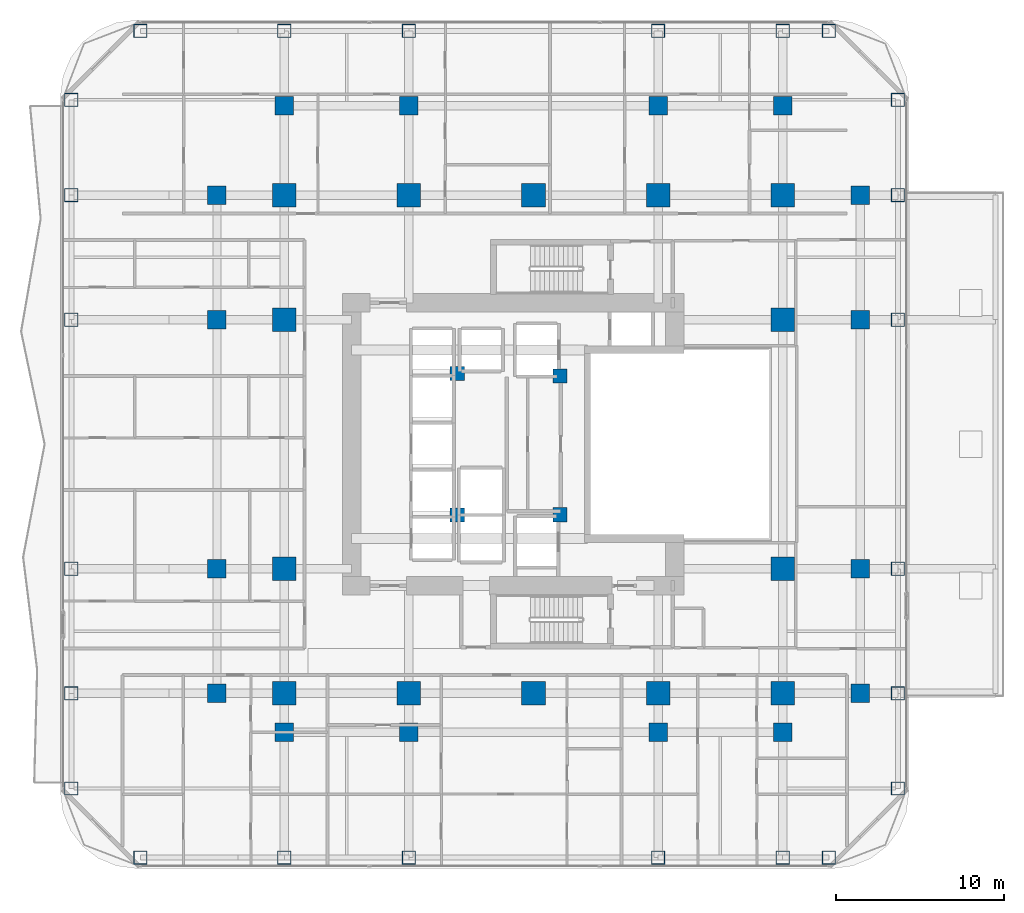
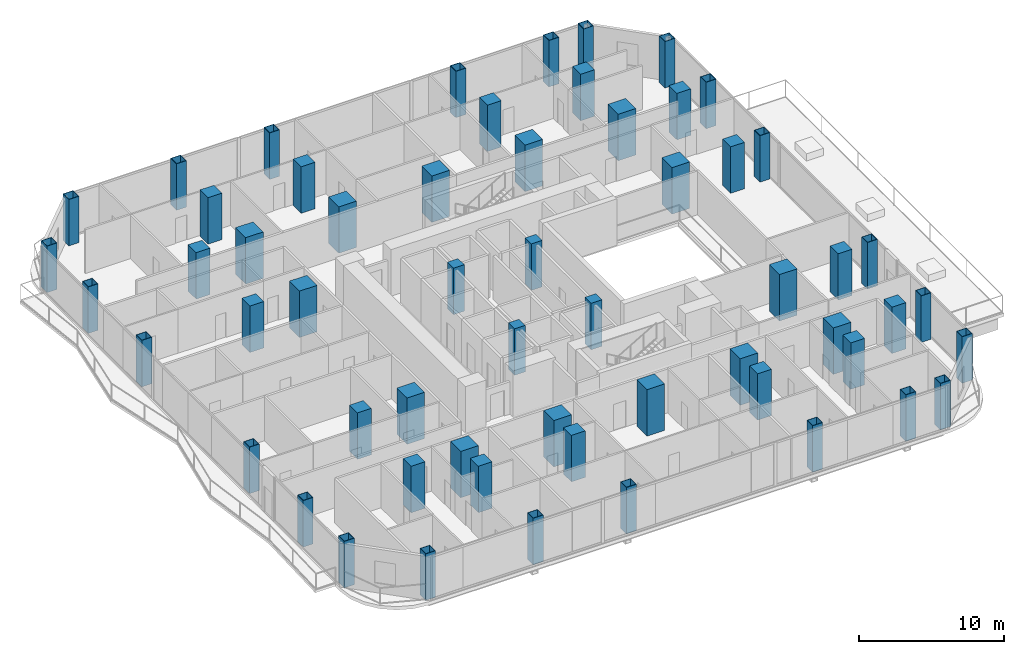
# One storey, part 1 of 29: 58 columns.
"""IFC4 building model written with IfcOpenShell, lengths in metres."""

from ifc_helpers import new_model, si_unit, direction, frame, origin, origin_2d, place, context, subcontext, project, spatial, rectangle, hollow_rectangle, extrude, material, material_profile, profile_set, type_object, element, save


model = new_model("IFC4")

# Units and contexts
model_context = context("Model", 3, precision=1e-05, world=origin(), true_north=direction((0.0, 1.0)))
body_context = subcontext(model_context, "Body", "Model", "MODEL_VIEW")
ifc_project = project(units=[si_unit("LENGTHUNIT", "METRE"), si_unit("AREAUNIT", "SQUARE_METRE"), si_unit("VOLUMEUNIT", "CUBIC_METRE"), si_unit("PLANEANGLEUNIT", "RADIAN"), si_unit("MASSUNIT", "GRAM", prefix="KILO")], contexts=[model_context])

# Site, building, storey
site_placement = place(None, origin())
site = spatial("IfcSite", under=ifc_project, at=site_placement, CompositionType="ELEMENT")
building_placement = place(site_placement, origin())
building = spatial("IfcBuilding", under=site, at=building_placement, Name="Khorvyn Point Tower", CompositionType="ELEMENT")
storey_placement = place(building_placement, frame((0.0, 0.0, 54.0)))
storey = spatial("IfcBuildingStorey", under=building, at=storey_placement, Name="L14", CompositionType="ELEMENT", Elevation=54.0)

# Columns
ifc_material_1 = material(Name="Concrete C40/50", Category="concrete")
ifc_material_profile_1 = material_profile(ifc_material_1, rectangle(XDim=0.85009765625, YDim=0.85009765625, at=origin_2d()))
ifc_profile_set_1 = profile_set([ifc_material_profile_1], Name="Concrete C40/50 RC850x850")
column_type_1 = type_object("IfcColumnType", Name="Concrete C40/50 Column RC850x850", PredefinedType="COLUMN", material=ifc_profile_set_1)
for number, where, z_axis, x_axis, name in (
    (1, (-4.52001953125, -4.199951171875, 0.0), (0.0, 0.0, 1.0), (1.0, 0.0, 0.0), "L14 Crown Core Spine Column 1"),
    (2, (1.580078125, -4.179931640625, 0.0), (0.0, 0.0, 1.0), (1.0, 0.0, 0.0), "L14 Crown Core Spine Column 2"),
    (3, (1.580078125, 4.050048828125, 0.0), (0.0, 0.0, 1.0), (1.0, 0.0, 0.0), "L14 Crown Core Spine Column 3"),
    (4, (-4.52001953125, 4.199951171875, 0.0), (0.0, 0.0, 1.0), (1.0, 0.0, 0.0), "L14 Crown Core Spine Column 4"),
):
    element("IfcColumn", number, at=place(storey_placement, frame(where, z_axis=z_axis, x_axis=x_axis)), inside=storey, type_object=column_type_1, Name=name, PredefinedType="COLUMN", context=body_context, shape_type="SweptSolid", body=[
        extrude(rectangle(XDim=0.85009765625, YDim=0.85009765625, at=origin_2d()), origin(), (0.0, 0.0, 1.0), 3.89990234375),
    ])
ifc_material_2 = material(Name="Concrete C45/55", Category="concrete")
ifc_material_profile_2 = material_profile(ifc_material_2, rectangle(XDim=1.10009765625, YDim=1.10009765625, at=origin_2d()))
ifc_profile_set_2 = profile_set([ifc_material_profile_2], Name="Concrete C45/55 RC1100x1100")
column_type_2 = type_object("IfcColumnType", Name="Concrete C45/55 Column RC1100x1100", PredefinedType="COLUMN", material=ifc_profile_set_2)
for number, where, z_axis, x_axis, name in (
    (5, (-18.800048828125, -14.800048828125, 0.0), (0.0, 0.0, 1.0), (1.0, 0.0, 0.0), "L14 Intermediate Column ICW--14"),
    (6, (-18.800048828125, -7.39990234375, 0.0), (0.0, 0.0, 1.0), (1.0, 0.0, 0.0), "L14 Intermediate Column ICW--7"),
    (7, (-18.800048828125, 7.39990234375, 0.0), (0.0, 0.0, 1.0), (1.0, 0.0, 0.0), "L14 Intermediate Column ICW-7"),
    (8, (-18.800048828125, 14.800048828125, 0.0), (0.0, 0.0, 1.0), (1.0, 0.0, 0.0), "L14 Intermediate Column ICW-14"),
    (9, (19.39990234375, -14.800048828125, 0.0), (0.0, 0.0, 1.0), (1.0, 0.0, 0.0), "L14 Intermediate Column ICE--14"),
    (10, (19.39990234375, -7.39990234375, 0.0), (0.0, 0.0, 1.0), (1.0, 0.0, 0.0), "L14 Intermediate Column ICE--7"),
    (11, (19.39990234375, 7.39990234375, 0.0), (0.0, 0.0, 1.0), (1.0, 0.0, 0.0), "L14 Intermediate Column ICE-7"),
    (12, (19.39990234375, 14.800048828125, 0.0), (0.0, 0.0, 1.0), (1.0, 0.0, 0.0), "L14 Intermediate Column ICE-14"),
    (13, (-14.800048828125, -17.10009765625, 0.0), (0.0, 0.0, 1.0), (1.0, 0.0, 0.0), "L14 Intermediate Column ICS--14"),
    (14, (-7.39990234375, -17.10009765625, 0.0), (0.0, 0.0, 1.0), (1.0, 0.0, 0.0), "L14 Intermediate Column ICS--7"),
    (15, (7.39990234375, -17.10009765625, 0.0), (0.0, 0.0, 1.0), (1.0, 0.0, 0.0), "L14 Intermediate Column ICS-7"),
    (16, (14.800048828125, -17.10009765625, 0.0), (0.0, 0.0, 1.0), (1.0, 0.0, 0.0), "L14 Intermediate Column ICS-14"),
    (17, (-14.800048828125, 20.10009765625, 0.0), (0.0, 0.0, 1.0), (1.0, 0.0, 0.0), "L14 Intermediate Column ICN--14"),
    (18, (-7.39990234375, 20.10009765625, 0.0), (0.0, 0.0, 1.0), (1.0, 0.0, 0.0), "L14 Intermediate Column ICN--7"),
    (19, (7.39990234375, 20.10009765625, 0.0), (0.0, 0.0, 1.0), (1.0, 0.0, 0.0), "L14 Intermediate Column ICN-7"),
    (20, (14.800048828125, 20.10009765625, 0.0), (0.0, 0.0, 1.0), (1.0, 0.0, 0.0), "L14 Intermediate Column ICN-14"),
):
    element("IfcColumn", number, at=place(storey_placement, frame(where, z_axis=z_axis, x_axis=x_axis)), inside=storey, type_object=column_type_2, Name=name, PredefinedType="COLUMN", context=body_context, shape_type="SweptSolid", body=[
        extrude(rectangle(XDim=1.10009765625, YDim=1.10009765625, at=origin_2d()), origin(), (0.0, 0.0, 1.0), 3.89990234375),
    ])
ifc_material_3 = material(Name="Concrete C50/60", Category="concrete")
ifc_material_profile_3 = material_profile(ifc_material_3, rectangle(XDim=1.39990234375, YDim=1.39990234375, at=origin_2d()))
ifc_profile_set_3 = profile_set([ifc_material_profile_3], Name="Concrete C50/60 RC1400x1400")
column_type_3 = type_object("IfcColumnType", Name="Concrete C50/60 Column RC1400x1400", PredefinedType="COLUMN", material=ifc_profile_set_3)
for number, where, z_axis, x_axis, name in (
    (21, (-14.800048828125, -14.800048828125, 0.0), (0.0, 0.0, 1.0), (1.0, 0.0, 0.0), "L14 Mega-Column MC-01"),
    (22, (-7.39990234375, -14.800048828125, 0.0), (0.0, 0.0, 1.0), (1.0, 0.0, 0.0), "L14 Mega-Column MC-02"),
    (23, (0.0, -14.800048828125, 0.0), (0.0, 0.0, 1.0), (1.0, 0.0, 0.0), "L14 Mega-Column MC-03"),
    (24, (7.39990234375, -14.800048828125, 0.0), (0.0, 0.0, 1.0), (1.0, 0.0, 0.0), "L14 Mega-Column MC-04"),
    (25, (14.800048828125, -14.800048828125, 0.0), (0.0, 0.0, 1.0), (1.0, 0.0, 0.0), "L14 Mega-Column MC-05"),
    (26, (-14.800048828125, 14.800048828125, 0.0), (0.0, 0.0, 1.0), (1.0, 0.0, 0.0), "L14 Mega-Column MC-06"),
    (27, (-7.39990234375, 14.800048828125, 0.0), (0.0, 0.0, 1.0), (1.0, 0.0, 0.0), "L14 Mega-Column MC-07"),
    (28, (0.0, 14.800048828125, 0.0), (0.0, 0.0, 1.0), (1.0, 0.0, 0.0), "L14 Mega-Column MC-08"),
    (29, (7.39990234375, 14.800048828125, 0.0), (0.0, 0.0, 1.0), (1.0, 0.0, 0.0), "L14 Mega-Column MC-09"),
    (30, (14.800048828125, 14.800048828125, 0.0), (0.0, 0.0, 1.0), (1.0, 0.0, 0.0), "L14 Mega-Column MC-10"),
    (31, (-14.800048828125, -7.39990234375, 0.0), (0.0, 0.0, 1.0), (1.0, 0.0, 0.0), "L14 Mega-Column MC-11"),
    (32, (-14.800048828125, 7.39990234375, 0.0), (0.0, 0.0, 1.0), (1.0, 0.0, 0.0), "L14 Mega-Column MC-12"),
    (33, (14.800048828125, -7.39990234375, 0.0), (0.0, 0.0, 1.0), (1.0, 0.0, 0.0), "L14 Mega-Column MC-13"),
    (34, (14.800048828125, 7.39990234375, 0.0), (0.0, 0.0, 1.0), (1.0, 0.0, 0.0), "L14 Mega-Column MC-14"),
):
    element("IfcColumn", number, at=place(storey_placement, frame(where, z_axis=z_axis, x_axis=x_axis)), inside=storey, type_object=column_type_3, Name=name, PredefinedType="COLUMN", context=body_context, shape_type="SweptSolid", body=[
        extrude(rectangle(XDim=1.39990234375, YDim=1.39990234375, at=origin_2d()), origin(), (0.0, 0.0, 1.0), 3.89990234375),
    ])
ifc_material_4 = material(Name="Steel S450", Category="steel")
ifc_material_profile_4 = material_profile(ifc_material_4, hollow_rectangle(XDim=0.800048828125, YDim=0.800048828125, WallThickness=0.035888671875, at=origin_2d()))
ifc_profile_set_4 = profile_set([ifc_material_profile_4], Name="Steel S450 BOX800x800x36")
column_type_4 = type_object("IfcColumnType", Name="Steel S450 Structural Column BOX800x800x36", PredefinedType="COLUMN", material=ifc_profile_set_4)
for number, where, z_axis, x_axis, name in (
    (35, (-23.35009765625, -24.550048828125, 0.0), (0.0, 0.0, 1.0), (1.0, 0.0, 0.0), "L14 Perimeter Tube Column TC-01"),
    (36, (17.550048828125, -24.550048828125, 0.0), (0.0, 0.0, 1.0), (1.0, 0.0, 0.0), "L14 Perimeter Tube Column TC-02"),
    (37, (-23.35009765625, 24.550048828125, 0.0), (0.0, 0.0, 1.0), (1.0, 0.0, 0.0), "L14 Perimeter Tube Column TC-03"),
    (38, (17.550048828125, 24.550048828125, 0.0), (0.0, 0.0, 1.0), (1.0, 0.0, 0.0), "L14 Perimeter Tube Column TC-04"),
    (39, (-27.449951171875, -20.449951171875, 0.0), (0.0, 0.0, 1.0), (1.0, 0.0, 0.0), "L14 Perimeter Tube Column TC-05"),
    (40, (-27.449951171875, 20.449951171875, 0.0), (0.0, 0.0, 1.0), (1.0, 0.0, 0.0), "L14 Perimeter Tube Column TC-06"),
    (41, (21.64990234375, -20.449951171875, 0.0), (0.0, 0.0, 1.0), (1.0, 0.0, 0.0), "L14 Perimeter Tube Column TC-07"),
    (42, (21.64990234375, 20.449951171875, 0.0), (0.0, 0.0, 1.0), (1.0, 0.0, 0.0), "L14 Perimeter Tube Column TC-08"),
    (43, (-14.800048828125, -24.550048828125, 0.0), (0.0, 0.0, 1.0), (1.0, 0.0, 0.0), "L14 Perimeter Tube Column TC-09"),
    (44, (-14.800048828125, 24.550048828125, 0.0), (0.0, 0.0, 1.0), (1.0, 0.0, 0.0), "L14 Perimeter Tube Column TC-10"),
    (45, (-7.39990234375, -24.550048828125, 0.0), (0.0, 0.0, 1.0), (1.0, 0.0, 0.0), "L14 Perimeter Tube Column TC-11"),
    (46, (-7.39990234375, 24.550048828125, 0.0), (0.0, 0.0, 1.0), (1.0, 0.0, 0.0), "L14 Perimeter Tube Column TC-12"),
    (47, (7.39990234375, -24.550048828125, 0.0), (0.0, 0.0, 1.0), (1.0, 0.0, 0.0), "L14 Perimeter Tube Column TC-13"),
    (48, (7.39990234375, 24.550048828125, 0.0), (0.0, 0.0, 1.0), (1.0, 0.0, 0.0), "L14 Perimeter Tube Column TC-14"),
    (49, (14.800048828125, -24.550048828125, 0.0), (0.0, 0.0, 1.0), (1.0, 0.0, 0.0), "L14 Perimeter Tube Column TC-15"),
    (50, (14.800048828125, 24.550048828125, 0.0), (0.0, 0.0, 1.0), (1.0, 0.0, 0.0), "L14 Perimeter Tube Column TC-16"),
    (51, (-27.449951171875, -14.800048828125, 0.0), (0.0, 0.0, 1.0), (1.0, 0.0, 0.0), "L14 Perimeter Tube Column TC-17"),
    (52, (21.64990234375, -14.800048828125, 0.0), (0.0, 0.0, 1.0), (1.0, 0.0, 0.0), "L14 Perimeter Tube Column TC-18"),
    (53, (-27.449951171875, -7.39990234375, 0.0), (0.0, 0.0, 1.0), (1.0, 0.0, 0.0), "L14 Perimeter Tube Column TC-19"),
    (54, (21.64990234375, -7.39990234375, 0.0), (0.0, 0.0, 1.0), (1.0, 0.0, 0.0), "L14 Perimeter Tube Column TC-20"),
    (55, (-27.449951171875, 7.39990234375, 0.0), (0.0, 0.0, 1.0), (1.0, 0.0, 0.0), "L14 Perimeter Tube Column TC-21"),
    (56, (21.64990234375, 7.39990234375, 0.0), (0.0, 0.0, 1.0), (1.0, 0.0, 0.0), "L14 Perimeter Tube Column TC-22"),
    (57, (-27.449951171875, 14.800048828125, 0.0), (0.0, 0.0, 1.0), (1.0, 0.0, 0.0), "L14 Perimeter Tube Column TC-23"),
    (58, (21.64990234375, 14.800048828125, 0.0), (0.0, 0.0, 1.0), (1.0, 0.0, 0.0), "L14 Perimeter Tube Column TC-24"),
):
    element("IfcColumn", number, at=place(storey_placement, frame(where, z_axis=z_axis, x_axis=x_axis)), inside=storey, type_object=column_type_4, Name=name, PredefinedType="COLUMN", context=body_context, shape_type="SweptSolid", body=[
        extrude(hollow_rectangle(XDim=0.800048828125, YDim=0.800048828125, WallThickness=0.035888671875, at=origin_2d()), origin(), (0.0, 0.0, 1.0), 3.89990234375),
    ])

save(model, "model.ifc")
